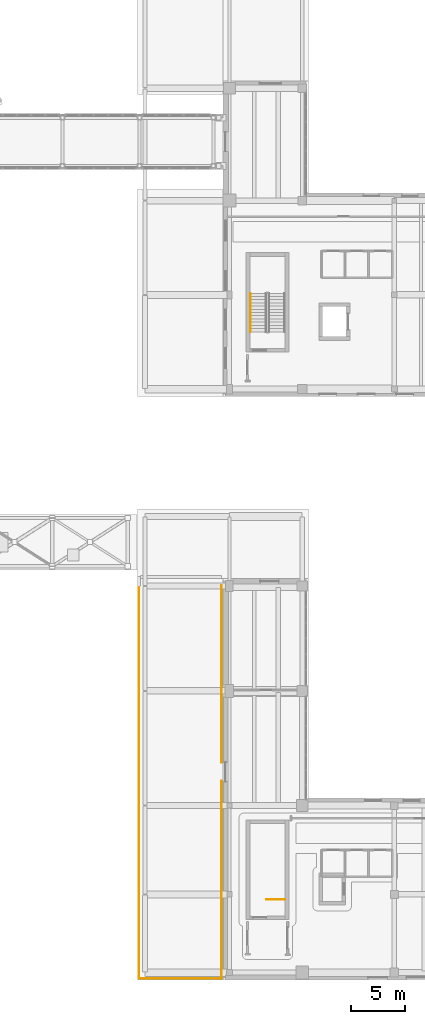
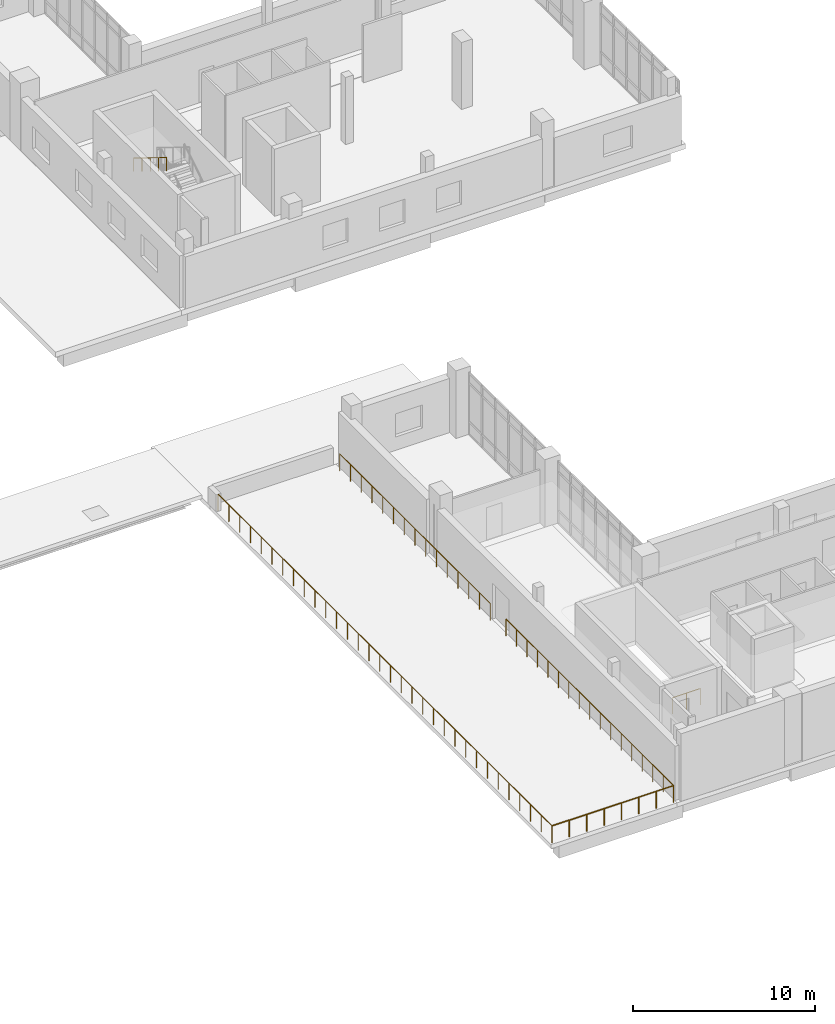
# One storey, part 64 of 75: 6 railings.
"""IFC4 building model written with IfcOpenShell, lengths in metres."""

from ifc_helpers import new_model, si_unit, direction, frame, origin, origin_2d, place, context, subcontext, project, spatial, circle, extrude, material, type_object, element, save


model = new_model("IFC4")

# Units and contexts
model_context = context("Model", 3, precision=1e-05, world=origin(), true_north=direction((0.0, 1.0)))
body_context = subcontext(model_context, "Body", "Model", "MODEL_VIEW")
ifc_project = project(units=[si_unit("LENGTHUNIT", "METRE"), si_unit("AREAUNIT", "SQUARE_METRE"), si_unit("VOLUMEUNIT", "CUBIC_METRE"), si_unit("PLANEANGLEUNIT", "RADIAN"), si_unit("MASSUNIT", "GRAM", prefix="KILO")], contexts=[model_context])

# Site, building, storey
site_placement = place(None, origin())
site = spatial("IfcSite", under=ifc_project, at=site_placement, CompositionType="ELEMENT")
building_placement = place(site_placement, origin())
building = spatial("IfcBuilding", under=site, at=building_placement, Name="Soyqirgoq Riverine Aquarium", CompositionType="ELEMENT")
storey_placement = place(building_placement, frame((0.0, 0.0, 10.199951171875)))
storey = spatial("IfcBuildingStorey", under=building, at=storey_placement, Name="L03", CompositionType="ELEMENT", Elevation=10.199951171875)

# Railings
ifc_material_1 = material(Name="Brushed stainless steel 316L tubular handrail", Category="steel")
railing_type_1 = type_object("IfcRailingType", Name="StairPitchHandrail_920", PredefinedType="HANDRAIL", material=ifc_material_1)
railing_1_placement = place(storey_placement, frame((124.550048828125, 65.64990234375, 2.584716796875)))
element("IfcRailing", 1, at=railing_1_placement, inside=storey, type_object=railing_type_1, Name="L03 ST-8 stair handrail 2", PredefinedType="HANDRAIL", context=body_context, shape_type="SweptSolid", body=[
    extrude(circle(Radius=0.02392578125, at=origin_2d()), frame((0.0, 0.0, 0.89990234375), z_axis=(0.0, -0.851654350407, 0.524103870844), x_axis=(1.0, 0.0, 0.0)), (0.0, 0.0, 1.0), 4.226806640625),
    extrude(circle(Radius=0.02099609375, at=origin_2d()), origin(), (0.0, 0.0, 1.0), 0.875732421875),
    extrude(circle(Radius=0.02099609375, at=origin_2d()), frame((0.0, -0.89990234375, 0.5537109375)), (0.0, 0.0, 1.0), 0.875732421875),
    extrude(circle(Radius=0.02099609375, at=origin_2d()), frame((0.0, -1.7998046875, 1.107666015625)), (0.0, 0.0, 1.0), 0.875732421875),
    extrude(circle(Radius=0.02099609375, at=origin_2d()), frame((0.0, -2.699951171875, 1.66162109375)), (0.0, 0.0, 1.0), 0.875732421875),
    extrude(circle(Radius=0.02099609375, at=origin_2d()), frame((0.0, -3.599853515625, 2.21533203125)), (0.0, 0.0, 1.0), 0.875732421875),
])
ifc_material_2 = material(Name="Painted steel infill stair-well guardrail", Category="steel")
railing_type_2 = type_object("IfcRailingType", Name="StairWellGuard_1120", PredefinedType="GUARDRAIL", material=ifc_material_2)
railing_2_placement = place(storey_placement, frame((127.800048828125, 9.0, 0.0)))
element("IfcRailing", 2, at=railing_2_placement, inside=storey, type_object=railing_type_2, Name="L03 ST-7 top well guard 1", PredefinedType="GUARDRAIL", context=body_context, shape_type="SweptSolid", body=[
    extrude(circle(Radius=0.02392578125, at=origin_2d()), frame((0.0, 0.0, 1.09619140625), z_axis=(-1.0, 0.0, 0.0), x_axis=(0.0, -1.0, 0.0)), (0.0, 0.0, 1.0), 1.75),
    extrude(circle(Radius=0.02099609375, at=origin_2d()), origin(), (0.0, 0.0, 1.0), 1.072021484375),
    extrude(circle(Radius=0.02099609375, at=origin_2d()), frame((-0.875, 0.0, 0.0)), (0.0, 0.0, 1.0), 1.072021484375),
    extrude(circle(Radius=0.02099609375, at=origin_2d()), frame((-1.75, 0.0, 0.0)), (0.0, 0.0, 1.0), 1.072021484375),
])
ifc_material_3 = material(Name="Laminated safety glass and stainless steel balustrade", Category="steel")
railing_type_3 = type_object("IfcRailingType", Name="TerraceGuard_1150", PredefinedType="BALUSTRADE", material=ifc_material_3)
railing_3_placement = place(storey_placement, frame((114.139892578125, 1.639892578125, 0.0)))
element("IfcRailing", 3, at=railing_3_placement, inside=storey, type_object=railing_type_3, Name="V6 L03 Terrace Perimeter Balustrade 086", PredefinedType="BALUSTRADE", context=body_context, shape_type="SweptSolid", body=[
    extrude(circle(Radius=0.02392578125, at=origin_2d()), frame((0.0, 0.0, 1.1259765625), z_axis=(0.0, 1.0, 0.0), x_axis=(-1.0, 0.0, 0.0)), (0.0, 0.0, 1.0), 36.710205078125),
    extrude(circle(Radius=0.02099609375, at=origin_2d()), origin(), (0.0, 0.0, 1.0), 1.101806640625),
    extrude(circle(Radius=0.02099609375, at=origin_2d()), frame((0.0, 1.18408203125, 0.0)), (0.0, 0.0, 1.0), 1.101806640625),
    extrude(circle(Radius=0.02099609375, at=origin_2d()), frame((0.0, 2.368408203125, 0.0)), (0.0, 0.0, 1.0), 1.101806640625),
    extrude(circle(Radius=0.02099609375, at=origin_2d()), frame((0.0, 3.552490234375, 0.0)), (0.0, 0.0, 1.0), 1.101806640625),
    extrude(circle(Radius=0.02099609375, at=origin_2d()), frame((0.0, 4.73681640625, 0.0)), (0.0, 0.0, 1.0), 1.101806640625),
    extrude(circle(Radius=0.02099609375, at=origin_2d()), frame((0.0, 5.9208984375, 0.0)), (0.0, 0.0, 1.0), 1.101806640625),
    extrude(circle(Radius=0.02099609375, at=origin_2d()), frame((0.0, 7.105224609375, 0.0)), (0.0, 0.0, 1.0), 1.101806640625),
    extrude(circle(Radius=0.02099609375, at=origin_2d()), frame((0.0, 8.289306640625, 0.0)), (0.0, 0.0, 1.0), 1.101806640625),
    extrude(circle(Radius=0.02099609375, at=origin_2d()), frame((0.0, 9.4736328125, 0.0)), (0.0, 0.0, 1.0), 1.101806640625),
    extrude(circle(Radius=0.02099609375, at=origin_2d()), frame((0.0, 10.65771484375, 0.0)), (0.0, 0.0, 1.0), 1.101806640625),
    extrude(circle(Radius=0.02099609375, at=origin_2d()), frame((0.0, 11.842041015625, 0.0)), (0.0, 0.0, 1.0), 1.101806640625),
    extrude(circle(Radius=0.02099609375, at=origin_2d()), frame((0.0, 13.026123046875, 0.0)), (0.0, 0.0, 1.0), 1.101806640625),
    extrude(circle(Radius=0.02099609375, at=origin_2d()), frame((0.0, 14.21044921875, 0.0)), (0.0, 0.0, 1.0), 1.101806640625),
    extrude(circle(Radius=0.02099609375, at=origin_2d()), frame((0.0, 15.39453125, 0.0)), (0.0, 0.0, 1.0), 1.101806640625),
    extrude(circle(Radius=0.02099609375, at=origin_2d()), frame((0.0, 16.578857421875, 0.0)), (0.0, 0.0, 1.0), 1.101806640625),
    extrude(circle(Radius=0.02099609375, at=origin_2d()), frame((0.0, 17.762939453125, 0.0)), (0.0, 0.0, 1.0), 1.101806640625),
    extrude(circle(Radius=0.02099609375, at=origin_2d()), frame((0.0, 18.947265625, 0.0)), (0.0, 0.0, 1.0), 1.101806640625),
    extrude(circle(Radius=0.02099609375, at=origin_2d()), frame((0.0, 20.13134765625, 0.0)), (0.0, 0.0, 1.0), 1.101806640625),
    extrude(circle(Radius=0.02099609375, at=origin_2d()), frame((0.0, 21.315673828125, 0.0)), (0.0, 0.0, 1.0), 1.101806640625),
    extrude(circle(Radius=0.02099609375, at=origin_2d()), frame((0.0, 22.499755859375, 0.0)), (0.0, 0.0, 1.0), 1.101806640625),
    extrude(circle(Radius=0.02099609375, at=origin_2d()), frame((0.0, 23.68408203125, 0.0)), (0.0, 0.0, 1.0), 1.101806640625),
    extrude(circle(Radius=0.02099609375, at=origin_2d()), frame((0.0, 24.8681640625, 0.0)), (0.0, 0.0, 1.0), 1.101806640625),
    extrude(circle(Radius=0.02099609375, at=origin_2d()), frame((0.0, 26.052490234375, 0.0)), (0.0, 0.0, 1.0), 1.101806640625),
    extrude(circle(Radius=0.02099609375, at=origin_2d()), frame((0.0, 27.236572265625, 0.0)), (0.0, 0.0, 1.0), 1.101806640625),
    extrude(circle(Radius=0.02099609375, at=origin_2d()), frame((0.0, 28.4208984375, 0.0)), (0.0, 0.0, 1.0), 1.101806640625),
    extrude(circle(Radius=0.02099609375, at=origin_2d()), frame((0.0, 29.60498046875, 0.0)), (0.0, 0.0, 1.0), 1.101806640625),
    extrude(circle(Radius=0.02099609375, at=origin_2d()), frame((0.0, 30.789306640625, 0.0)), (0.0, 0.0, 1.0), 1.101806640625),
    extrude(circle(Radius=0.02099609375, at=origin_2d()), frame((0.0, 31.973388671875, 0.0)), (0.0, 0.0, 1.0), 1.101806640625),
    extrude(circle(Radius=0.02099609375, at=origin_2d()), frame((0.0, 33.15771484375, 0.0)), (0.0, 0.0, 1.0), 1.101806640625),
    extrude(circle(Radius=0.02099609375, at=origin_2d()), frame((0.0, 34.341796875, 0.0)), (0.0, 0.0, 1.0), 1.101806640625),
    extrude(circle(Radius=0.02099609375, at=origin_2d()), frame((0.0, 35.526123046875, 0.0)), (0.0, 0.0, 1.0), 1.101806640625),
    extrude(circle(Radius=0.02099609375, at=origin_2d()), frame((0.0, 36.710205078125, 0.0)), (0.0, 0.0, 1.0), 1.101806640625),
])
railing_4_placement = place(storey_placement, frame((121.860107421875, 38.35009765625, 0.0)))
element("IfcRailing", 4, at=railing_4_placement, inside=storey, type_object=railing_type_3, Name="V6 L03 Terrace Perimeter Balustrade 087", PredefinedType="BALUSTRADE", context=body_context, shape_type="SweptSolid", body=[
    extrude(circle(Radius=0.02392578125, at=origin_2d()), frame((0.0, 0.0, 1.1259765625), z_axis=(0.0, -1.0, 0.0), x_axis=(1.0, 0.0, 0.0)), (0.0, 0.0, 1.0), 16.5498046875),
    extrude(circle(Radius=0.02099609375, at=origin_2d()), origin(), (0.0, 0.0, 1.0), 1.101806640625),
    extrude(circle(Radius=0.02099609375, at=origin_2d()), frame((0.0, -1.18212890625, 0.0)), (0.0, 0.0, 1.0), 1.101806640625),
    extrude(circle(Radius=0.02099609375, at=origin_2d()), frame((0.0, -2.3642578125, 0.0)), (0.0, 0.0, 1.0), 1.101806640625),
    extrude(circle(Radius=0.02099609375, at=origin_2d()), frame((0.0, -3.54638671875, 0.0)), (0.0, 0.0, 1.0), 1.101806640625),
    extrude(circle(Radius=0.02099609375, at=origin_2d()), frame((0.0, -4.728515625, 0.0)), (0.0, 0.0, 1.0), 1.101806640625),
    extrude(circle(Radius=0.02099609375, at=origin_2d()), frame((0.0, -5.91064453125, 0.0)), (0.0, 0.0, 1.0), 1.101806640625),
    extrude(circle(Radius=0.02099609375, at=origin_2d()), frame((0.0, -7.0927734375, 0.0)), (0.0, 0.0, 1.0), 1.101806640625),
    extrude(circle(Radius=0.02099609375, at=origin_2d()), frame((0.0, -8.27490234375, 0.0)), (0.0, 0.0, 1.0), 1.101806640625),
    extrude(circle(Radius=0.02099609375, at=origin_2d()), frame((0.0, -9.45703125, 0.0)), (0.0, 0.0, 1.0), 1.101806640625),
    extrude(circle(Radius=0.02099609375, at=origin_2d()), frame((0.0, -10.63916015625, 0.0)), (0.0, 0.0, 1.0), 1.101806640625),
    extrude(circle(Radius=0.02099609375, at=origin_2d()), frame((0.0, -11.8212890625, 0.0)), (0.0, 0.0, 1.0), 1.101806640625),
    extrude(circle(Radius=0.02099609375, at=origin_2d()), frame((0.0, -13.00341796875, 0.0)), (0.0, 0.0, 1.0), 1.101806640625),
    extrude(circle(Radius=0.02099609375, at=origin_2d()), frame((0.0, -14.185546875, 0.0)), (0.0, 0.0, 1.0), 1.101806640625),
    extrude(circle(Radius=0.02099609375, at=origin_2d()), frame((0.0, -15.36767578125, 0.0)), (0.0, 0.0, 1.0), 1.101806640625),
    extrude(circle(Radius=0.02099609375, at=origin_2d()), frame((0.0, -16.5498046875, 0.0)), (0.0, 0.0, 1.0), 1.101806640625),
])
railing_5_placement = place(storey_placement, frame((121.860107421875, 20.06982421875, 0.0)))
element("IfcRailing", 5, at=railing_5_placement, inside=storey, type_object=railing_type_3, Name="V6 L03 Terrace Perimeter Balustrade 088", PredefinedType="BALUSTRADE", context=body_context, shape_type="SweptSolid", body=[
    extrude(circle(Radius=0.02392578125, at=origin_2d()), frame((0.0, 0.0, 1.1259765625), z_axis=(0.0, -1.0, 0.0), x_axis=(1.0, 0.0, 0.0)), (0.0, 0.0, 1.0), 18.429931640625),
    extrude(circle(Radius=0.02099609375, at=origin_2d()), origin(), (0.0, 0.0, 1.0), 1.101806640625),
    extrude(circle(Radius=0.02099609375, at=origin_2d()), frame((0.0, -1.15185546875, 0.0)), (0.0, 0.0, 1.0), 1.101806640625),
    extrude(circle(Radius=0.02099609375, at=origin_2d()), frame((0.0, -2.3037109375, 0.0)), (0.0, 0.0, 1.0), 1.101806640625),
    extrude(circle(Radius=0.02099609375, at=origin_2d()), frame((0.0, -3.45556640625, 0.0)), (0.0, 0.0, 1.0), 1.101806640625),
    extrude(circle(Radius=0.02099609375, at=origin_2d()), frame((0.0, -4.607421875, 0.0)), (0.0, 0.0, 1.0), 1.101806640625),
    extrude(circle(Radius=0.02099609375, at=origin_2d()), frame((0.0, -5.75927734375, 0.0)), (0.0, 0.0, 1.0), 1.101806640625),
    extrude(circle(Radius=0.02099609375, at=origin_2d()), frame((0.0, -6.9111328125, 0.0)), (0.0, 0.0, 1.0), 1.101806640625),
    extrude(circle(Radius=0.02099609375, at=origin_2d()), frame((0.0, -8.06298828125, 0.0)), (0.0, 0.0, 1.0), 1.101806640625),
    extrude(circle(Radius=0.02099609375, at=origin_2d()), frame((0.0, -9.21484375, 0.0)), (0.0, 0.0, 1.0), 1.101806640625),
    extrude(circle(Radius=0.02099609375, at=origin_2d()), frame((0.0, -10.366943359375, 0.0)), (0.0, 0.0, 1.0), 1.101806640625),
    extrude(circle(Radius=0.02099609375, at=origin_2d()), frame((0.0, -11.518798828125, 0.0)), (0.0, 0.0, 1.0), 1.101806640625),
    extrude(circle(Radius=0.02099609375, at=origin_2d()), frame((0.0, -12.670654296875, 0.0)), (0.0, 0.0, 1.0), 1.101806640625),
    extrude(circle(Radius=0.02099609375, at=origin_2d()), frame((0.0, -13.822509765625, 0.0)), (0.0, 0.0, 1.0), 1.101806640625),
    extrude(circle(Radius=0.02099609375, at=origin_2d()), frame((0.0, -14.974365234375, 0.0)), (0.0, 0.0, 1.0), 1.101806640625),
    extrude(circle(Radius=0.02099609375, at=origin_2d()), frame((0.0, -16.126220703125, 0.0)), (0.0, 0.0, 1.0), 1.101806640625),
    extrude(circle(Radius=0.02099609375, at=origin_2d()), frame((0.0, -17.278076171875, 0.0)), (0.0, 0.0, 1.0), 1.101806640625),
    extrude(circle(Radius=0.02099609375, at=origin_2d()), frame((0.0, -18.429931640625, 0.0)), (0.0, 0.0, 1.0), 1.101806640625),
])
railing_6_placement = place(storey_placement, frame((121.860107421875, 1.639892578125, 0.0)))
element("IfcRailing", 6, at=railing_6_placement, inside=storey, type_object=railing_type_3, Name="V6 L03 Terrace Perimeter Balustrade 089", PredefinedType="BALUSTRADE", context=body_context, shape_type="SweptSolid", body=[
    extrude(circle(Radius=0.02392578125, at=origin_2d()), frame((0.0, 0.0, 1.1259765625), z_axis=(-1.0, 0.0, 0.0), x_axis=(0.0, -1.0, 0.0)), (0.0, 0.0, 1.0), 7.72021484375),
    extrude(circle(Radius=0.02099609375, at=origin_2d()), origin(), (0.0, 0.0, 1.0), 1.101806640625),
    extrude(circle(Radius=0.02099609375, at=origin_2d()), frame((-1.102783203125, 0.0, 0.0)), (0.0, 0.0, 1.0), 1.101806640625),
    extrude(circle(Radius=0.02099609375, at=origin_2d()), frame((-2.205810546875, 0.0, 0.0)), (0.0, 0.0, 1.0), 1.101806640625),
    extrude(circle(Radius=0.02099609375, at=origin_2d()), frame((-3.30859375, 0.0, 0.0)), (0.0, 0.0, 1.0), 1.101806640625),
    extrude(circle(Radius=0.02099609375, at=origin_2d()), frame((-4.41162109375, 0.0, 0.0)), (0.0, 0.0, 1.0), 1.101806640625),
    extrude(circle(Radius=0.02099609375, at=origin_2d()), frame((-5.514404296875, 0.0, 0.0)), (0.0, 0.0, 1.0), 1.101806640625),
    extrude(circle(Radius=0.02099609375, at=origin_2d()), frame((-6.617431640625, 0.0, 0.0)), (0.0, 0.0, 1.0), 1.101806640625),
    extrude(circle(Radius=0.02099609375, at=origin_2d()), frame((-7.72021484375, 0.0, 0.0)), (0.0, 0.0, 1.0), 1.101806640625),
])

save(model, "model.ifc")
